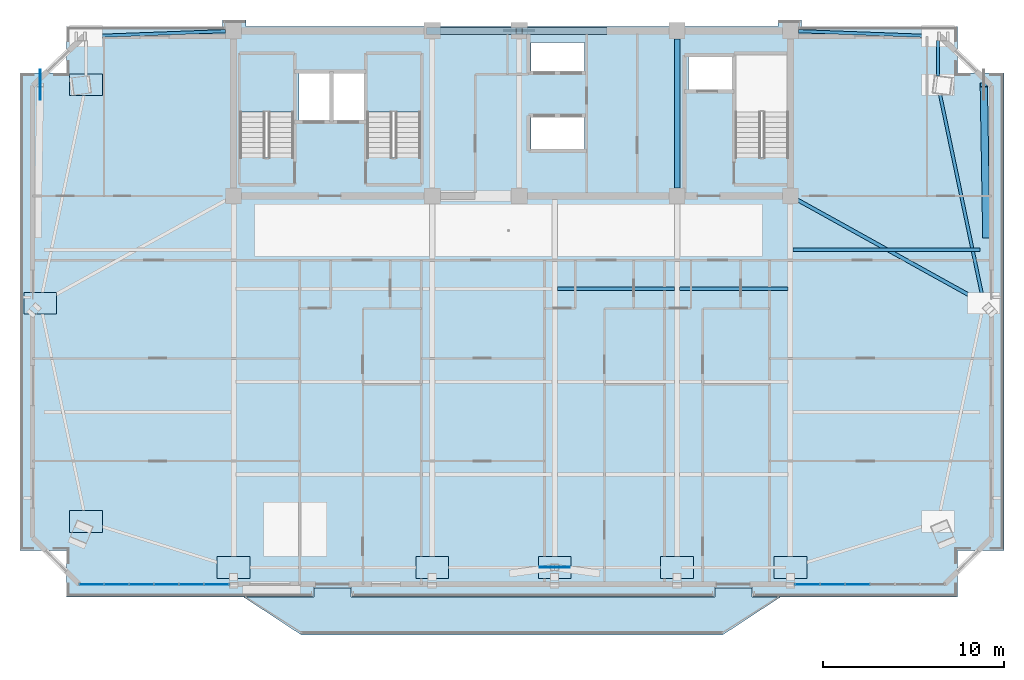
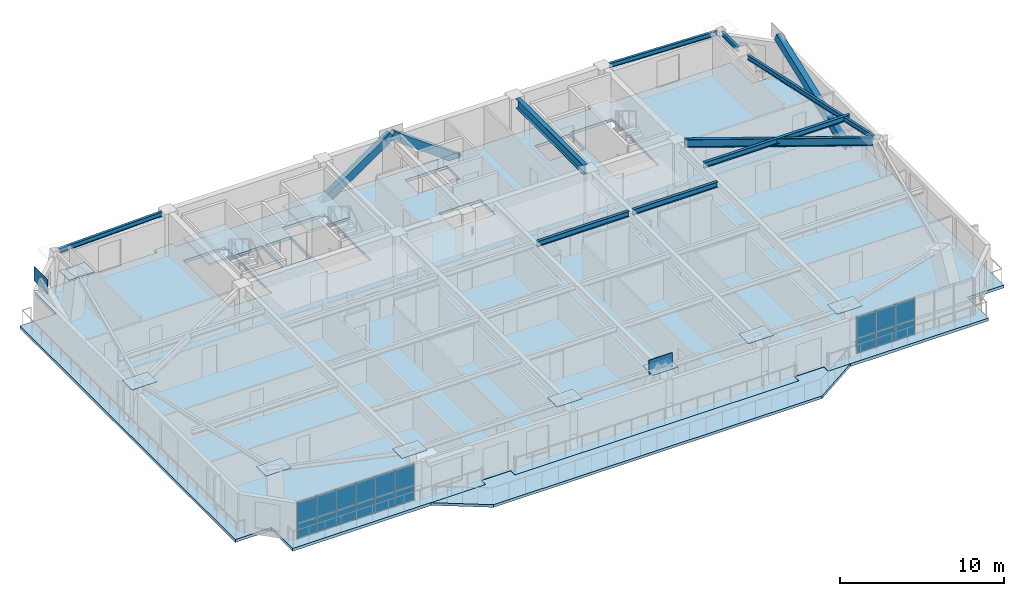
# One storey, part 7 of 18: 28 plates, 9 beams, 4 slabs, 3 members, 4 elements without a shape of their own.
"""IFC4 building model written with IfcOpenShell, lengths in metres."""

import ifcopenshell
import ifcopenshell.guid

model = None  # the IFC model being written
_history = None  # IfcOwnerHistory: only IFC2X3 demands one
_inside = {}  # id of a spatial element -> (the spatial element, [elements in it])
_under = {}  # id of a project, library or spatial element -> (it, [spatial elements below it])
_declared = {}  # id of a project -> (the project, [libraries it declares])
_typed = {}  # id of a type object -> (the type object, [elements of that type])
_made_of = {}  # id of a material, layer set ... -> (it, [elements and type objects made of it])


def new_model(schema):
    """Start an empty IFC model of exactly this schema.

    Asked for "IFC4X3", IfcOpenShell would pick the latest addendum, in which some entities
    have other attributes; the version numbers below select the first issue.
    IFC2X3 requires an IfcOwnerHistory on every rooted entity: one is made here for all.
    """
    global model, _history
    if schema == "IFC4X3":
        model = ifcopenshell.file(schema_version=(4, 3, 0, 0))
    else:
        model = ifcopenshell.file(schema=schema)
    _inside.clear()
    _under.clear()
    _declared.clear()
    _typed.clear()
    _made_of.clear()
    _history = None
    if model.schema == "IFC2X3":
        org = make("IfcOrganization", Name="unknown")
        user = make(
            "IfcPersonAndOrganization",
            ThePerson=make("IfcPerson", FamilyName="unknown"),
            TheOrganization=org,
        )
        app = make(
            "IfcApplication",
            ApplicationDeveloper=org,
            Version="unknown",
            ApplicationFullName="unknown",
            ApplicationIdentifier="unknown",
        )
        _history = make(
            "IfcOwnerHistory",
            OwningUser=user,
            OwningApplication=app,
            ChangeAction="ADDED",
            CreationDate=0,
        )
    return model


def make(cls, **values):
    """One entity of the class cls with the attributes given. An attribute that is None is left unset."""
    return model.create_entity(
        cls, **{name: value for name, value in values.items() if value is not None}
    )


def rooted(cls, **values):
    """An entity with a GlobalId (a new one), such as an element, a storey or a relation."""
    return make(cls, GlobalId=ifcopenshell.guid.new(), OwnerHistory=_history, **values)


def si_unit(unit_type, name, prefix=None):
    """IfcSIUnit, for example si_unit("LENGTHUNIT", "METRE", prefix="MILLI")."""
    return make("IfcSIUnit", UnitType=unit_type, Prefix=prefix, Name=name)


def assignment(units):
    """IfcUnitAssignment: the units of a project."""
    return None if units is None else make("IfcUnitAssignment", Units=units)


def point(xyz):
    """IfcCartesianPoint."""
    return None if xyz is None else make("IfcCartesianPoint", Coordinates=xyz)


def direction(xyz):
    """IfcDirection."""
    return None if xyz is None else make("IfcDirection", DirectionRatios=xyz)


def frame(location, z_axis=None, x_axis=None):
    """IfcAxis2Placement3D, a coordinate frame: its origin and axes. An axis left out is left unset."""
    return make(
        "IfcAxis2Placement3D",
        Location=point(location),
        Axis=direction(z_axis),
        RefDirection=direction(x_axis),
    )


def frame_2d(location, x_axis=None):
    """IfcAxis2Placement2D, a coordinate frame in the plane: its origin and x axis."""
    return make(
        "IfcAxis2Placement2D", Location=point(location), RefDirection=direction(x_axis)
    )


def origin():
    """The frame at (0, 0, 0) with its axes left unset."""
    return frame((0.0, 0.0, 0.0))


def origin_2d():
    """The frame at (0, 0) in the plane with its x axis left unset."""
    return frame_2d((0.0, 0.0))


def place(relative_to, where):
    """IfcLocalPlacement: puts the frame where relative to a parent placement (None: the world)."""
    return make(
        "IfcLocalPlacement", PlacementRelTo=relative_to, RelativePlacement=where
    )


def context(
    kind, dimensions, precision=None, world=None, true_north=None, identifier=None
):
    """IfcGeometricRepresentationContext, for example the 3D "Model" context."""
    return make(
        "IfcGeometricRepresentationContext",
        ContextIdentifier=identifier,
        ContextType=kind,
        CoordinateSpaceDimension=dimensions,
        Precision=precision,
        WorldCoordinateSystem=world,
        TrueNorth=true_north,
    )


def subcontext(parent, identifier, kind, view, scale=None):
    """IfcGeometricRepresentationSubContext, for example "Body" below "Model"."""
    return make(
        "IfcGeometricRepresentationSubContext",
        ContextIdentifier=identifier,
        ContextType=kind,
        ParentContext=parent,
        TargetScale=scale,
        TargetView=view,
    )


def project(units=None, contexts=None):
    """IfcProject with its units and contexts."""
    return rooted(
        "IfcProject",
        Name="project",
        RepresentationContexts=contexts,
        UnitsInContext=assignment(units),
    )


def spatial(cls, under=None, at=None, **own):
    """A site, building, storey or space (cls), placed at a placement, below another one or the project."""
    s = rooted(cls, ObjectPlacement=at, **own)
    if under is not None:
        _under.setdefault(under.id(), (under, []))[1].append(s)
    return s


def polyline(points):
    """IfcPolyline through the points."""
    return make("IfcPolyline", Points=[point(p) for p in points])


def profile(cls, at=None, kind="AREA", **sizes):
    """A parametric profile (cls). Its sizes go by their IFC names, for example OverallWidth=200.0."""
    return make(cls, ProfileType=kind, Position=at, **sizes)


def rectangle(**sizes):
    """IfcRectangleProfileDef."""
    return profile("IfcRectangleProfileDef", **sizes)


def hollow_rectangle(**sizes):
    """IfcRectangleHollowProfileDef."""
    return profile("IfcRectangleHollowProfileDef", **sizes)


def i_section(**sizes):
    """IfcIShapeProfileDef."""
    return profile("IfcIShapeProfileDef", **sizes)


def outline(outer, holes=None, kind="AREA"):
    """IfcArbitraryClosedProfileDef: a profile drawn as a closed curve; with holes, ...WithVoids."""
    if holes is None:
        return make("IfcArbitraryClosedProfileDef", ProfileType=kind, OuterCurve=outer)
    return make(
        "IfcArbitraryProfileDefWithVoids",
        ProfileType=kind,
        OuterCurve=outer,
        InnerCurves=holes,
    )


def extrude(swept, where, along, depth):
    """IfcExtrudedAreaSolid: the profile swept, set in the frame where, extruded along a direction by depth."""
    return make(
        "IfcExtrudedAreaSolid",
        SweptArea=swept,
        Position=where,
        ExtrudedDirection=direction(along),
        Depth=depth,
    )


def shape(context_of_items, identifier, shape_type, items):
    """IfcShapeRepresentation: the items that make up one representation, for example the "Body"."""
    return make(
        "IfcShapeRepresentation",
        ContextOfItems=context_of_items,
        RepresentationIdentifier=identifier,
        RepresentationType=shape_type,
        Items=items,
    )


def source(mapping_origin, context_of_items, identifier, shape_type, items):
    """IfcRepresentationMap: a shape defined once, which mapped items show again and again."""
    return make(
        "IfcRepresentationMap",
        MappingOrigin=mapping_origin,
        MappedRepresentation=shape(context_of_items, identifier, shape_type, items),
    )


def transform(
    local_origin,
    x_axis=None,
    y_axis=None,
    z_axis=None,
    scale=None,
    scale2=None,
    scale3=None,
    uniform=True,
):
    """IfcCartesianTransformationOperator3D, or its non-uniform kind. x_axis, y_axis, z_axis: its Axis1, 2, 3."""
    if uniform:
        return make(
            "IfcCartesianTransformationOperator3D",
            Axis1=direction(x_axis),
            Axis2=direction(y_axis),
            LocalOrigin=point(local_origin),
            Scale=scale,
            Axis3=direction(z_axis),
        )
    return make(
        "IfcCartesianTransformationOperator3DnonUniform",
        Axis1=direction(x_axis),
        Axis2=direction(y_axis),
        LocalOrigin=point(local_origin),
        Scale=scale,
        Axis3=direction(z_axis),
        Scale2=scale2,
        Scale3=scale3,
    )


def mapped(mapping_source, mapping_target):
    """IfcMappedItem: shows the shape of a source again, moved by a transform."""
    return make(
        "IfcMappedItem", MappingSource=mapping_source, MappingTarget=mapping_target
    )


def material(Name=None, Category=None):
    """IfcMaterial."""
    return make("IfcMaterial", Name=Name, Category=Category)


def layer(
    of_material, thickness, ventilated=None, Name=None, Category=None, Priority=None
):
    """IfcMaterialLayer: one layer of a wall or slab, of a material (None: an air gap)."""
    return make(
        "IfcMaterialLayer",
        Material=of_material,
        LayerThickness=thickness,
        IsVentilated=ventilated,
        Name=Name,
        Category=Category,
        Priority=Priority,
    )


def layer_set(layers, Name=None):
    """IfcMaterialLayerSet."""
    return make("IfcMaterialLayerSet", MaterialLayers=layers, LayerSetName=Name)


def material_profile(
    of_material, cross_section, Name=None, Category=None, Priority=None
):
    """IfcMaterialProfile: a cross section and its material."""
    return make(
        "IfcMaterialProfile",
        Name=Name,
        Material=of_material,
        Profile=cross_section,
        Priority=Priority,
        Category=Category,
    )


def profile_set(profiles, Name=None, composite=None):
    """IfcMaterialProfileSet."""
    return make(
        "IfcMaterialProfileSet",
        Name=Name,
        MaterialProfiles=profiles,
        CompositeProfile=composite,
    )


def made_of(thing, what):
    """Note that an element or type object is made of a material, layer set ...; save() writes the relation."""
    if what is not None:
        _made_of.setdefault(what.id(), (what, []))[1].append(thing)
    return thing


def type_object(cls, material=None, **own):
    """A type object (cls), such as IfcWallType, which elements share."""
    return made_of(rooted(cls, **own), material)


def element(
    cls,
    number,
    at=None,
    inside=None,
    cuts=None,
    type_object=None,
    material=None,
    context=None,
    identifier="Body",
    shape_type=None,
    held_by="IfcProductDefinitionShape",
    body=None,
    shapes=None,
    **own,
):
    """One element of the class cls, such as IfcWall. Its Tag is "e" and its number.

    at: its placement. inside: the storey or other place that contains it. cuts: it is an
    opening in that element (IfcRelVoidsElement). A single representation is given by context,
    identifier, shape_type and body (its items); several are given by shapes. held_by: the class
    of the entity that holds the representations. save() writes the other relations.
    """
    e = rooted(cls, Tag="e%d" % number, ObjectPlacement=at, **own)
    if body is not None:
        shapes = [shape(context, identifier, shape_type, body)]
    if shapes is not None:
        e.Representation = make(held_by, Representations=shapes)
    if inside is not None:
        _inside.setdefault(inside.id(), (inside, []))[1].append(e)
    if cuts is not None:
        rooted(
            "IfcRelVoidsElement", RelatingBuildingElement=cuts, RelatedOpeningElement=e
        )
    if type_object is not None:
        _typed.setdefault(type_object.id(), (type_object, []))[1].append(e)
    return made_of(e, material)


def aggregate(whole, parts):
    """IfcRelAggregates: a whole, such as a stair, and the parts it consists of."""
    return rooted("IfcRelAggregates", RelatingObject=whole, RelatedObjects=parts)


def save(model, path):
    """Write the relations noted so far, then the file.

    IfcRelAggregates (storeys below a building ...), IfcRelContainedInSpatialStructure (elements
    in a storey), IfcRelDefinesByType, IfcRelAssociatesMaterial and IfcRelDeclares: one each for
    every whole, place, type object, material and project.
    """
    for whole, parts in _under.values():
        aggregate(whole, parts)
    for where, things in _inside.values():
        rooted(
            "IfcRelContainedInSpatialStructure",
            RelatedElements=things,
            RelatingStructure=where,
        )
    for kind, things in _typed.values():
        rooted("IfcRelDefinesByType", RelatedObjects=things, RelatingType=kind)
    for what, things in _made_of.values():
        rooted("IfcRelAssociatesMaterial", RelatedObjects=things, RelatingMaterial=what)
    for by, libraries in _declared.values():
        rooted("IfcRelDeclares", RelatingContext=by, RelatedDefinitions=libraries)
    model.write(path)


model = new_model("IFC4")

# Units and contexts
model_context = context("Model", 3, precision=1e-05, world=origin(), true_north=direction((0.0, 1.0)))
body_context = subcontext(model_context, "Body", "Model", "MODEL_VIEW")
ifc_project = project(units=[si_unit("LENGTHUNIT", "METRE"), si_unit("AREAUNIT", "SQUARE_METRE"), si_unit("VOLUMEUNIT", "CUBIC_METRE"), si_unit("PLANEANGLEUNIT", "RADIAN"), si_unit("MASSUNIT", "GRAM", prefix="KILO")], contexts=[model_context])

# Site, building, storey
site_placement = place(None, origin())
site = spatial("IfcSite", under=ifc_project, at=site_placement, CompositionType="ELEMENT")
building_placement = place(site_placement, origin())
building = spatial("IfcBuilding", under=site, at=building_placement, Name="Giltprow Tower", CompositionType="ELEMENT")
storey_placement = place(building_placement, frame((0.0, 0.0, 265.5)))
storey = spatial("IfcBuildingStorey", under=building, at=storey_placement, Name="L68", CompositionType="ELEMENT", Elevation=265.5)

# Beams
ifc_material_1 = material(Name="Structural steel Q355B", Category="steel")
ifc_material_profile_1 = material_profile(ifc_material_1, i_section(OverallWidth=0.199951171875, OverallDepth=0.39990234375, WebThickness=0.008056640625, FlangeThickness=0.012939453125, at=origin_2d()), Name="HN 400x200x8x13")
ifc_profile_set_1 = profile_set([ifc_material_profile_1], Name="Structural steel Q355B")
beam_type_1 = type_object("IfcBeamType", Name="BM-JOIST-HN400", PredefinedType="JOIST", material=ifc_profile_set_1)
shared_shape_1 = source(origin(), body_context, "Body", "SweptSolid", [
    extrude(i_section(OverallWidth=0.199951171875, OverallDepth=0.39990234375, WebThickness=0.008056640625, FlangeThickness=0.012939453125, at=origin_2d()), origin(), (0.0, 0.0, 1.0), 6.4599609375),
])
beam_1_placement = place(storey_placement, frame((37.695068359375, 32.33203125, 2.985107421875), z_axis=(1.0, 0.0, 0.0), x_axis=(0.0, 1.0, 0.0)))
element("IfcBeam", 1, at=beam_1_placement, inside=storey, type_object=beam_type_1, Name="L68 Composite Floor Joist 3-3", PredefinedType="JOIST", context=body_context, shape_type="MappedRepresentation", body=[
    mapped(shared_shape_1, transform((0.0, 0.0, 0.0), x_axis=(1.0, 0.0, 0.0), y_axis=(0.0, 1.0, 0.0), z_axis=(0.0, 0.0, 1.0), scale=1.0)),
])
shared_shape_2 = source(origin(), body_context, "Body", "SweptSolid", [
    extrude(i_section(OverallWidth=0.199951171875, OverallDepth=0.39990234375, WebThickness=0.008056640625, FlangeThickness=0.012939453125, at=origin_2d()), origin(), (0.0, 0.0, 1.0), 5.9599609375),
])
beam_2_placement = place(storey_placement, frame((44.445068359375, 32.33203125, 2.985107421875), z_axis=(1.0, 0.0, 0.0), x_axis=(0.0, 1.0, 0.0)))
element("IfcBeam", 2, at=beam_2_placement, inside=storey, type_object=beam_type_1, Name="L68 Composite Floor Joist 3-4", PredefinedType="JOIST", context=body_context, shape_type="MappedRepresentation", body=[
    mapped(shared_shape_2, transform((0.0, 0.0, 0.0), x_axis=(1.0, 0.0, 0.0), y_axis=(0.0, 1.0, 0.0), z_axis=(0.0, 0.0, 1.0), scale=1.0)),
])
ifc_material_profile_2 = material_profile(ifc_material_1, i_section(OverallWidth=0.300048828125, OverallDepth=0.699951171875, WebThickness=0.012939453125, FlangeThickness=0.02392578125, at=origin_2d()), Name="HN 700x300x13x24")
ifc_profile_set_2 = profile_set([ifc_material_profile_2], Name="Structural steel Q355B")
beam_type_2 = type_object("IfcBeamType", Name="BM-GIRD-HN700", PredefinedType="BEAM", material=ifc_profile_set_2)
shared_shape_3 = source(origin(), body_context, "Body", "SweptSolid", [
    extrude(i_section(OverallWidth=0.300048828125, OverallDepth=0.699951171875, WebThickness=0.012939453125, FlangeThickness=0.02392578125, at=origin_2d()), origin(), (0.0, 0.0, 1.0), 8.22998046875),
])
beam_3_placement = place(storey_placement, frame((44.300048828125, 37.885009765625, 2.8349609375), z_axis=(0.0, 1.0, 0.0), x_axis=(-1.0, 0.0, 0.0)))
element("IfcBeam", 3, at=beam_3_placement, inside=storey, type_object=beam_type_2, Name="L68 Core Tie Girder M3", PredefinedType="BEAM", context=body_context, shape_type="MappedRepresentation", body=[
    mapped(shared_shape_3, transform((0.0, 0.0, 0.0), x_axis=(1.0, 0.0, 0.0), y_axis=(0.0, 1.0, 0.0), z_axis=(0.0, 0.0, 1.0), scale=1.0)),
])
ifc_material_profile_3 = material_profile(ifc_material_1, i_section(OverallWidth=0.175048828125, OverallDepth=0.35009765625, WebThickness=0.007080078125, FlangeThickness=0.010986328125, at=origin_2d()), Name="HN 350x175x7x11")
ifc_profile_set_3 = profile_set([ifc_material_profile_3], Name="Structural steel Q355B")
beam_type_3 = type_object("IfcBeamType", Name="BM-SPAN-HN350", PredefinedType="SPANDREL", material=ifc_profile_set_3)
shared_shape_4 = source(origin(), body_context, "Body", "SweptSolid", [
    extrude(i_section(OverallWidth=0.175048828125, OverallDepth=0.35009765625, WebThickness=0.007080078125, FlangeThickness=0.010986328125, at=origin_2d()), origin(), (0.0, 0.0, 1.0), 11.580322265625),
])
beam_4_placement = place(storey_placement, frame((61.158935546875, 31.76806640625, 3.010009765625), z_axis=(-0.205173152284, 0.978725690672, 0.0), x_axis=(-0.978725690672, -0.205173152284, 0.0)))
element("IfcBeam", 4, at=beam_4_placement, inside=storey, type_object=beam_type_3, Name="L68 Perimeter Spandrel Beam E_MID-MC_NE", PredefinedType="SPANDREL", context=body_context, shape_type="MappedRepresentation", body=[
    mapped(shared_shape_4, transform((0.0, 0.0, 0.0), x_axis=(1.0, 0.0, 0.0), y_axis=(0.0, 1.0, 0.0), z_axis=(0.0, 0.0, 1.0), scale=1.0)),
])
shared_shape_5 = source(origin(), body_context, "Body", "SweptSolid", [
    extrude(i_section(OverallWidth=0.175048828125, OverallDepth=0.35009765625, WebThickness=0.007080078125, FlangeThickness=0.010986328125, at=origin_2d()), origin(), (0.0, 0.0, 1.0), 1.952880859375),
])
beam_5_placement = place(storey_placement, frame((58.68408203125, 44.06201171875, 3.010009765625), z_axis=(0.0, 1.0, 0.0), x_axis=(-1.0, 0.0, 0.0)))
element("IfcBeam", 5, at=beam_5_placement, inside=storey, type_object=beam_type_3, Name="L68 Perimeter Spandrel Beam MC_NE-N_E", PredefinedType="SPANDREL", context=body_context, shape_type="MappedRepresentation", body=[
    mapped(shared_shape_5, transform((0.0, 0.0, 0.0), x_axis=(1.0, 0.0, 0.0), y_axis=(0.0, 1.0, 0.0), z_axis=(0.0, 0.0, 1.0), scale=1.0)),
])
shared_shape_6 = source(origin(), body_context, "Body", "SweptSolid", [
    extrude(i_section(OverallWidth=0.175048828125, OverallDepth=0.35009765625, WebThickness=0.007080078125, FlangeThickness=0.010986328125, at=origin_2d()), origin(), (0.0, 0.0, 1.0), 7.46826171875),
])
beam_6_placement = place(storey_placement, frame((11.951904296875, 46.259033203125, 3.010009765625), z_axis=(0.999322291926, 0.036809738647, 0.0), x_axis=(-0.036809738647, 0.999322291926, 0.0)))
element("IfcBeam", 6, at=beam_6_placement, inside=storey, type_object=beam_type_3, Name="L68 North Wing Spandrel W", PredefinedType="SPANDREL", context=body_context, shape_type="MappedRepresentation", body=[
    mapped(shared_shape_6, transform((0.0, 0.0, 0.0), x_axis=(1.0, 0.0, 0.0), y_axis=(0.0, 1.0, 0.0), z_axis=(0.0, 0.0, 1.0), scale=1.0)),
])
shared_shape_7 = source(origin(), body_context, "Body", "SweptSolid", [
    extrude(i_section(OverallWidth=0.175048828125, OverallDepth=0.35009765625, WebThickness=0.007080078125, FlangeThickness=0.010986328125, at=origin_2d()), origin(), (0.0, 0.0, 1.0), 7.468994140625),
])
beam_7_placement = place(storey_placement, frame((50.985107421875, 46.533935546875, 3.010009765625), z_axis=(0.99932242479, -0.036806131438, 0.0), x_axis=(0.036806131438, 0.99932242479, 0.0)))
element("IfcBeam", 7, at=beam_7_placement, inside=storey, type_object=beam_type_3, Name="L68 North Wing Spandrel E", PredefinedType="SPANDREL", context=body_context, shape_type="MappedRepresentation", body=[
    mapped(shared_shape_7, transform((0.0, 0.0, 0.0), x_axis=(1.0, 0.0, 0.0), y_axis=(0.0, 1.0, 0.0), z_axis=(0.0, 0.0, 1.0), scale=1.0)),
])
ifc_material_profile_4 = material_profile(ifc_material_1, i_section(OverallWidth=0.199951171875, OverallDepth=0.60009765625, WebThickness=0.010986328125, FlangeThickness=0.01708984375, at=origin_2d()), Name="HN 600x200x11x17")
ifc_profile_set_4 = profile_set([ifc_material_profile_4], Name="Structural steel Q355B")
beam_type_4 = type_object("IfcBeamType", Name="BM-GIRD-HN600", PredefinedType="BEAM", material=ifc_profile_set_4)
shared_shape_8 = source(origin(), body_context, "Body", "SweptSolid", [
    extrude(i_section(OverallWidth=0.199951171875, OverallDepth=0.60009765625, WebThickness=0.010986328125, FlangeThickness=0.01708984375, at=origin_2d()), origin(), (0.0, 0.0, 1.0), 11.517822265625),
])
beam_8_placement = place(storey_placement, frame((61.001953125, 31.652099609375, 2.885009765625), z_axis=(-0.874476040192, 0.485068711762, 0.0), x_axis=(-0.485068711762, -0.874476040192, 0.0)))
element("IfcBeam", 8, at=beam_8_placement, inside=storey, type_object=beam_type_4, Name="L68 East Wing Primary Girder", PredefinedType="BEAM", context=body_context, shape_type="MappedRepresentation", body=[
    mapped(shared_shape_8, transform((0.0, 0.0, 0.0), x_axis=(1.0, 0.0, 0.0), y_axis=(0.0, 1.0, 0.0), z_axis=(0.0, 0.0, 1.0), scale=1.0)),
])
shared_shape_9 = source(origin(), body_context, "Body", "SweptSolid", [
    extrude(i_section(OverallWidth=0.199951171875, OverallDepth=0.39990234375, WebThickness=0.008056640625, FlangeThickness=0.012939453125, at=origin_2d()), origin(), (0.0, 0.0, 1.0), 10.2919921875),
])
beam_9_placement = place(storey_placement, frame((50.695068359375, 34.493896484375, 2.985107421875), z_axis=(1.0, 0.0, 0.0), x_axis=(0.0, 1.0, 0.0)))
element("IfcBeam", 9, at=beam_9_placement, inside=storey, type_object=beam_type_1, Name="L68 East Wing Floor Joist 2", PredefinedType="JOIST", context=body_context, shape_type="MappedRepresentation", body=[
    mapped(shared_shape_9, transform((0.0, 0.0, 0.0), x_axis=(1.0, 0.0, 0.0), y_axis=(0.0, 1.0, 0.0), z_axis=(0.0, 0.0, 1.0), scale=1.0)),
])

# Members
ifc_material_2 = material(Name="Structural steel Q420GJC", Category="steel")
ifc_material_profile_5 = material_profile(ifc_material_2, hollow_rectangle(XDim=0.39990234375, YDim=0.60009765625, WallThickness=0.028076171875, at=origin_2d()), Name="RHS 600x400x28")
ifc_profile_set_5 = profile_set([ifc_material_profile_5], Name="Structural steel Q420GJC")
member_type = type_object("IfcMemberType", Name="MBR-MEGA-RHS600", PredefinedType="BRACE", material=ifc_profile_set_5)
shared_shape_10 = source(origin(), body_context, "Body", "SweptSolid", [
    extrude(hollow_rectangle(XDim=0.39990234375, YDim=0.60009765625, WallThickness=0.028076171875, at=origin_2d()), origin(), (0.0, 0.0, 1.0), 5.774169921875),
])
member_1_placement = place(storey_placement, frame((40.26708984375, 46.550048828125, -0.139892578125), z_axis=(-0.808264093398, 0.0, 0.588820138348), x_axis=(0.0, -1.0, 0.0)))
element("IfcMember", 10, at=member_1_placement, inside=storey, type_object=member_type, Name="L68 Chevron Mega-Brace N-R", PredefinedType="BRACE", context=body_context, shape_type="MappedRepresentation", body=[
    mapped(shared_shape_10, transform((0.0, 0.0, 0.0), x_axis=(1.0, 0.0, 0.0), y_axis=(0.0, 1.0, 0.0), z_axis=(0.0, 0.0, 1.0), scale=1.0)),
])
shared_shape_11 = source(origin(), body_context, "Body", "SweptSolid", [
    extrude(hollow_rectangle(XDim=0.39990234375, YDim=0.60009765625, WallThickness=0.028076171875, at=origin_2d()), origin(), (0.0, 0.0, 1.0), 5.9912109375),
])
member_2_placement = place(storey_placement, frame((30.6669921875, 46.550048828125, -0.139892578125), z_axis=(0.823387435214, 0.0, 0.567479630941), x_axis=(0.0, 1.0, 0.0)))
element("IfcMember", 11, at=member_2_placement, inside=storey, type_object=member_type, Name="L68 Chevron Mega-Brace N-L", PredefinedType="BRACE", context=body_context, shape_type="MappedRepresentation", body=[
    mapped(shared_shape_11, transform((0.0, 0.0, 0.0), x_axis=(1.0, 0.0, 0.0), y_axis=(0.0, 1.0, 0.0), z_axis=(0.0, 0.0, 1.0), scale=1.0)),
])
shared_shape_12 = source(origin(), body_context, "Body", "SweptSolid", [
    extrude(hollow_rectangle(XDim=0.39990234375, YDim=0.60009765625, WallThickness=0.028076171875, at=origin_2d()), origin(), (0.0, 0.0, 1.0), 8.98974609375),
])
member_3_placement = place(storey_placement, frame((61.344970703125, 35.256103515625, 0.0), z_axis=(-0.015344225043, 0.925596244124, 0.37820119992), x_axis=(-0.999862618817, -0.016575388171, 0.0)))
element("IfcMember", 12, at=member_3_placement, inside=storey, type_object=member_type, Name="L68 Chevron Mega-Brace E-D", PredefinedType="BRACE", context=body_context, shape_type="MappedRepresentation", body=[
    mapped(shared_shape_12, transform((0.0, 0.0, 0.0), x_axis=(1.0, 0.0, 0.0), y_axis=(0.0, 1.0, 0.0), z_axis=(0.0, 0.0, 1.0), scale=1.0)),
])

# Slabs
ifc_material_3 = material(Name="Concrete C40", Category="concrete")
ifc_layer_1 = layer(ifc_material_3, 0.199951171875, Name="Concrete C40")
ifc_layer_set_1 = layer_set([ifc_layer_1], Name="Concrete C40")
slab_type_1 = type_object("IfcSlabType", Name="SLB-BALC-BRONZE-200", PredefinedType="FLOOR", material=ifc_layer_set_1)
slab_1_placement = place(storey_placement, frame((0.0, 0.0, -0.199951171875)))
element("IfcSlab", 13, at=slab_1_placement, inside=storey, type_object=slab_type_1, Name="L68 Bronze Prow Waterfront Balcony Slab", PredefinedType="FLOOR", context=body_context, shape_type="SweptSolid", body=[
    extrude(outline(polyline([(50.0, 15.344970703125), (46.800048828125, 13.2451171875), (23.60009765625, 13.2451171875), (20.39990234375, 15.344970703125), (24.280029296875, 15.344970703125), (24.280029296875, 15.844970703125), (26.320068359375, 15.844970703125), (26.320068359375, 15.344970703125), (46.3798828125, 15.344970703125), (46.3798828125, 15.844970703125), (48.419921875, 15.844970703125), (48.419921875, 15.344970703125), (50.0, 15.344970703125)])), origin(), (0.0, 0.0, 1.0), 0.199951171875),
])
ifc_layer_2 = layer(ifc_material_3, 0.215087890625, Name="Concrete C40")
ifc_layer_set_2 = layer_set([ifc_layer_2], Name="Concrete C40")
slab_type_2 = type_object("IfcSlabType", Name="SLB-RES-215", PredefinedType="FLOOR", material=ifc_layer_set_2)
slab_2_placement = place(storey_placement, frame((0.0, 0.0, -0.215087890625)))
element("IfcSlab", 14, at=slab_2_placement, inside=storey, type_object=slab_type_2, Name="L68 Structural Composite Floor Slab", PredefinedType="FLOOR", context=body_context, shape_type="SweptSolid", body=[
    extrude(outline(polyline([(62.322021484375, 44.22998046875), (62.322021484375, 17.9130859375), (59.751953125, 17.9130859375), (59.751953125, 15.344970703125), (48.449951171875, 15.344970703125), (48.449951171875, 15.864990234375), (46.35009765625, 15.864990234375), (46.35009765625, 15.344970703125), (26.35009765625, 15.344970703125), (26.35009765625, 15.864990234375), (24.25, 15.864990234375), (24.25, 15.344970703125), (10.64794921875, 15.344970703125), (10.64794921875, 17.9130859375), (8.0791015625, 17.9130859375), (8.0791015625, 44.22998046875), (10.64794921875, 44.22998046875), (10.64794921875, 46.799072265625), (19.25, 46.799072265625), (19.25, 47.14990234375), (20.550048828125, 47.14990234375), (20.550048828125, 46.799072265625), (49.85009765625, 46.799072265625), (49.85009765625, 47.14990234375), (51.14990234375, 47.14990234375), (51.14990234375, 46.799072265625), (59.751953125, 46.799072265625), (59.751953125, 44.22998046875), (62.322021484375, 44.22998046875)]), holes=[polyline([(39.18994140625, 41.800048828125), (36.239990234375, 41.800048828125), (36.239990234375, 40.0), (39.18994140625, 40.0), (39.18994140625, 41.800048828125)]), polyline([(23.159912109375, 39.570068359375), (23.159912109375, 45.25), (20.199951171875, 45.25), (20.199951171875, 39.570068359375), (23.159912109375, 39.570068359375)]), polyline([(30.159912109375, 39.570068359375), (30.159912109375, 45.25), (27.199951171875, 45.25), (27.199951171875, 39.570068359375), (30.159912109375, 39.570068359375)]), polyline([(50.4599609375, 45.25), (47.5, 45.25), (47.5, 39.570068359375), (50.4599609375, 39.570068359375), (50.4599609375, 45.25)]), polyline([(25.169921875, 44.199951171875), (23.449951171875, 44.199951171875), (23.449951171875, 41.60009765625), (25.169921875, 41.60009765625), (25.169921875, 44.199951171875)]), polyline([(27.10009765625, 44.199951171875), (25.35009765625, 44.199951171875), (25.35009765625, 41.60009765625), (27.10009765625, 41.60009765625), (27.10009765625, 44.199951171875)]), polyline([(47.3798828125, 43.300048828125), (47.3798828125, 45.10009765625), (44.919921875, 45.10009765625), (44.919921875, 43.300048828125), (47.3798828125, 43.300048828125)]), polyline([(39.18994140625, 44.300048828125), (39.18994140625, 45.919921875), (36.239990234375, 45.919921875), (36.239990234375, 44.300048828125), (39.18994140625, 44.300048828125)])]), origin(), (0.0, 0.0, 1.0), 0.215087890625),
])

# Stair, slab
stair_type_1 = type_object("IfcStairType", Name="STR-ST-1", PredefinedType="HALF_TURN_STAIR", material=ifc_material_3)
stair_1_placement = place(storey_placement, origin())
stair_1 = element("IfcStair", 15, at=stair_1_placement, inside=storey, type_object=stair_type_1, Name="L68 Core Exit Stair ST-1", PredefinedType="HALF_TURN_STAIR")
ifc_layer_3 = layer(ifc_material_3, 0.179931640625, Name="Concrete C40")
ifc_layer_set_3 = layer_set([ifc_layer_3], Name="Concrete C40")
slab_type_3 = type_object("IfcSlabType", Name="SLD-ST-1", PredefinedType="LANDING", material=ifc_layer_set_3)
slab_3_placement = place(storey_placement, frame((0.0, 0.0, 1.52001953125)))
slab_3 = element("IfcSlab", 16, at=slab_3_placement, type_object=slab_type_3, Name="ST-1 landing 1", PredefinedType="LANDING", context=body_context, shape_type="SweptSolid", body=[
    extrude(outline(polyline([(23.159912109375, 42.070068359375), (23.159912109375, 45.25), (20.199951171875, 45.25), (20.199951171875, 42.070068359375), (23.159912109375, 42.070068359375)])), origin(), (0.0, 0.0, 1.0), 0.179931640625),
])
aggregate(stair_1, [slab_3])

stair_type_2 = type_object("IfcStairType", Name="STR-ST-2", PredefinedType="HALF_TURN_STAIR", material=ifc_material_3)
stair_2_placement = place(storey_placement, origin())
stair_2 = element("IfcStair", 17, at=stair_2_placement, inside=storey, type_object=stair_type_2, Name="L68 Core Exit Stair ST-2", PredefinedType="HALF_TURN_STAIR")
ifc_layer_4 = layer(ifc_material_3, 0.18798828125, Name="Concrete C40")
ifc_layer_set_4 = layer_set([ifc_layer_4], Name="Concrete C40")
slab_type_4 = type_object("IfcSlabType", Name="SLD-ST-2", PredefinedType="LANDING", material=ifc_layer_set_4)
slab_4_placement = place(storey_placement, frame((0.0, 0.0, 1.511962890625)))
slab_4 = element("IfcSlab", 18, at=slab_4_placement, type_object=slab_type_4, Name="ST-2 landing 1", PredefinedType="LANDING", context=body_context, shape_type="SweptSolid", body=[
    extrude(outline(polyline([(30.159912109375, 42.070068359375), (30.159912109375, 45.25), (27.199951171875, 45.25), (27.199951171875, 42.070068359375), (30.159912109375, 42.070068359375)])), origin(), (0.0, 0.0, 1.0), 0.18798828125),
])
aggregate(stair_2, [slab_4])

# Plates
plate_type_1 = type_object("IfcPlateType", Name="PLT-NODE-CKN1", PredefinedType="USERDEFINED", material=ifc_material_2)
shared_shape_13 = source(origin(), body_context, "Body", "SweptSolid", [
    extrude(rectangle(XDim=1.800048828125, YDim=1.199951171875, at=origin_2d()), origin(), (0.0, 0.0, 1.0), 0.044921875),
])
for number, where, z_axis, x_axis, name in (
    (19, (11.717041015625, 19.4990234375, 3.142578125), (0.0, 0.0, 1.0), (1.0, 0.0, 0.0), "CKN1 Column Taper Splice Node L68-MC_SW"),
    (20, (11.717041015625, 43.576904296875, 3.142578125), (0.0, 0.0, 1.0), (1.0, 0.0, 0.0), "CKN1 Column Taper Splice Node L68-MC_NW"),
    (21, (19.85009765625, 16.97607421875, 3.142578125), (0.0, 0.0, 1.0), (1.0, 0.0, 0.0), "CKN1 Column Taper Splice Node L68-S1"),
    (22, (30.800048828125, 16.97607421875, 3.142578125), (0.0, 0.0, 1.0), (1.0, 0.0, 0.0), "CKN1 Column Taper Splice Node L68-S2"),
    (23, (37.550048828125, 16.97607421875, 3.142578125), (0.0, 0.0, 1.0), (1.0, 0.0, 0.0), "CKN1 Column Taper Splice Node L68-S_MID"),
    (24, (44.300048828125, 16.97607421875, 3.142578125), (0.0, 0.0, 1.0), (1.0, 0.0, 0.0), "CKN1 Column Taper Splice Node L68-S3"),
    (25, (50.550048828125, 16.97607421875, 3.142578125), (0.0, 0.0, 1.0), (1.0, 0.0, 0.0), "CKN1 Column Taper Splice Node L68-S4"),
    (26, (9.194091796875, 31.5380859375, 3.142578125), (0.0, 0.0, 1.0), (1.0, 0.0, 0.0), "CKN1 Column Taper Splice Node L68-W_MID"),
):
    element("IfcPlate", number, at=place(storey_placement, frame(where, z_axis=z_axis, x_axis=x_axis)), inside=storey, type_object=plate_type_1, Name=name, ObjectType="SPLICE", PredefinedType="USERDEFINED", context=body_context, shape_type="MappedRepresentation", body=[
        mapped(shared_shape_13, transform((0.0, 0.0, 0.0), x_axis=(1.0, 0.0, 0.0), y_axis=(0.0, 1.0, 0.0), z_axis=(0.0, 0.0, 1.0), scale=1.0)),
    ])
plate_type_2 = type_object("IfcPlateType", Name="PLT-NODE-MBN2", PredefinedType="USERDEFINED", material=ifc_material_2)
shared_shape_14 = source(origin(), body_context, "Body", "SweptSolid", [
    extrude(rectangle(XDim=1.64990234375, YDim=0.044921875, at=origin_2d()), origin(), (0.0, 0.0, 1.0), 1.050048828125),
])
for number, where, z_axis, x_axis, name in (
    (27, (37.550048828125, 16.97607421875, 2.875), (0.0, 0.0, 1.0), (1.0, 0.0, 0.0), "Mega-Brace Node L68-S-LB"),
    (28, (9.194091796875, 43.576904296875, 2.875), (0.0, 0.0, 1.0), (0.0, 1.0, 0.0), "Mega-Brace Node L68-W-DB"),
):
    element("IfcPlate", number, at=place(storey_placement, frame(where, z_axis=z_axis, x_axis=x_axis)), inside=storey, type_object=plate_type_2, Name=name, ObjectType="GUSSET", PredefinedType="USERDEFINED", context=body_context, shape_type="MappedRepresentation", body=[
        mapped(shared_shape_14, transform((0.0, 0.0, 0.0), x_axis=(1.0, 0.0, 0.0), y_axis=(0.0, 1.0, 0.0), z_axis=(0.0, 0.0, 1.0), scale=1.0)),
    ])

# Curtain wall, plates
ifc_material_4 = material(Name="Anodized bronze", Category="metal")
ifc_layer_5 = layer(ifc_material_4, 0.179931640625, Name="Anodized bronze")
ifc_layer_set_5 = layer_set([ifc_layer_5], Name="Anodized bronze")
curtain_wall_type = type_object("IfcCurtainWallType", Name="CW-RES-SKY", PredefinedType="NOTDEFINED", material=ifc_layer_set_5)
curtain_wall_1_placement = place(storey_placement, origin())
curtain_wall_1 = element("IfcCurtainWall", 29, at=curtain_wall_1_placement, inside=storey, type_object=curtain_wall_type, Name="L68 South Recessed Curtain Wall 1", PredefinedType="NOTDEFINED")
ifc_material_5 = material(Name="Insulated glass", Category="glass")
plate_type_3 = type_object("IfcPlateType", Name="CW-PANEL-IGU-28", PredefinedType="CURTAIN_PANEL", material=ifc_material_5)
shared_shape_15 = source(origin(), body_context, "Body", "SweptSolid", [
    extrude(rectangle(XDim=1.344970703125, YDim=0.028076171875, at=origin_2d()), origin(), (0.0, 0.0, 1.0), 1.114013671875),
])
plate_1_placement = place(storey_placement, frame((12.035888671875, 16.044921875, 0.05419921875), z_axis=(0.0, 0.0, 1.0), x_axis=(1.0, 0.0, 0.0)))
plate_1 = element("IfcPlate", 30, at=plate_1_placement, type_object=plate_type_3, Name="L68 South Recessed Curtain Wall 1 Glazing Panel 1-1", PredefinedType="CURTAIN_PANEL", context=body_context, shape_type="MappedRepresentation", body=[
    mapped(shared_shape_15, transform((0.0, 0.0, 0.0), x_axis=(1.0, 0.0, 0.0), y_axis=(0.0, 1.0, 0.0), z_axis=(0.0, 0.0, 1.0), scale=1.0)),
])
plate_2_placement = place(storey_placement, frame((13.410888671875, 16.044921875, 0.05419921875), z_axis=(0.0, 0.0, 1.0), x_axis=(1.0, 0.0, 0.0)))
plate_2 = element("IfcPlate", 31, at=plate_2_placement, type_object=plate_type_3, Name="L68 South Recessed Curtain Wall 1 Glazing Panel 2-1", PredefinedType="CURTAIN_PANEL", context=body_context, shape_type="MappedRepresentation", body=[
    mapped(shared_shape_15, transform((0.0, 0.0, 0.0), x_axis=(1.0, 0.0, 0.0), y_axis=(0.0, 1.0, 0.0), z_axis=(0.0, 0.0, 1.0), scale=1.0)),
])
plate_3_placement = place(storey_placement, frame((14.785888671875, 16.044921875, 0.05419921875), z_axis=(0.0, 0.0, 1.0), x_axis=(1.0, 0.0, 0.0)))
plate_3 = element("IfcPlate", 32, at=plate_3_placement, type_object=plate_type_3, Name="L68 South Recessed Curtain Wall 1 Glazing Panel 3-1", PredefinedType="CURTAIN_PANEL", context=body_context, shape_type="MappedRepresentation", body=[
    mapped(shared_shape_15, transform((0.0, 0.0, 0.0), x_axis=(1.0, 0.0, 0.0), y_axis=(0.0, 1.0, 0.0), z_axis=(0.0, 0.0, 1.0), scale=1.0)),
])
plate_4_placement = place(storey_placement, frame((16.162109375, 16.044921875, 0.05419921875), z_axis=(0.0, 0.0, 1.0), x_axis=(1.0, 0.0, 0.0)))
plate_4 = element("IfcPlate", 33, at=plate_4_placement, type_object=plate_type_3, Name="L68 South Recessed Curtain Wall 1 Glazing Panel 4-1", PredefinedType="CURTAIN_PANEL", context=body_context, shape_type="MappedRepresentation", body=[
    mapped(shared_shape_15, transform((0.0, 0.0, 0.0), x_axis=(1.0, 0.0, 0.0), y_axis=(0.0, 1.0, 0.0), z_axis=(0.0, 0.0, 1.0), scale=1.0)),
])
plate_5_placement = place(storey_placement, frame((17.537109375, 16.044921875, 0.05419921875), z_axis=(0.0, 0.0, 1.0), x_axis=(1.0, 0.0, 0.0)))
plate_5 = element("IfcPlate", 34, at=plate_5_placement, type_object=plate_type_3, Name="L68 South Recessed Curtain Wall 1 Glazing Panel 5-1", PredefinedType="CURTAIN_PANEL", context=body_context, shape_type="MappedRepresentation", body=[
    mapped(shared_shape_15, transform((0.0, 0.0, 0.0), x_axis=(1.0, 0.0, 0.0), y_axis=(0.0, 1.0, 0.0), z_axis=(0.0, 0.0, 1.0), scale=1.0)),
])
plate_6_placement = place(storey_placement, frame((18.912109375, 16.044921875, 0.05419921875), z_axis=(0.0, 0.0, 1.0), x_axis=(1.0, 0.0, 0.0)))
plate_6 = element("IfcPlate", 35, at=plate_6_placement, type_object=plate_type_3, Name="L68 South Recessed Curtain Wall 1 Glazing Panel 6-1", PredefinedType="CURTAIN_PANEL", context=body_context, shape_type="MappedRepresentation", body=[
    mapped(shared_shape_15, transform((0.0, 0.0, 0.0), x_axis=(1.0, 0.0, 0.0), y_axis=(0.0, 1.0, 0.0), z_axis=(0.0, 0.0, 1.0), scale=1.0)),
])

# Curtain wall, plate
curtain_wall_2_placement = place(storey_placement, origin())
curtain_wall_2 = element("IfcCurtainWall", 36, at=curtain_wall_2_placement, inside=storey, type_object=curtain_wall_type, Name="L68 South Recessed Curtain Wall 6", PredefinedType="NOTDEFINED")
plate_7_placement = place(storey_placement, frame((51.488037109375, 16.044921875, 0.05419921875), z_axis=(0.0, 0.0, 1.0), x_axis=(1.0, 0.0, 0.0)))
plate_7 = element("IfcPlate", 37, at=plate_7_placement, type_object=plate_type_3, Name="L68 South Recessed Curtain Wall 6 Glazing Panel 1-1", PredefinedType="CURTAIN_PANEL", context=body_context, shape_type="MappedRepresentation", body=[
    mapped(shared_shape_15, transform((0.0, 0.0, 0.0), x_axis=(1.0, 0.0, 0.0), y_axis=(0.0, 1.0, 0.0), z_axis=(0.0, 0.0, 1.0), scale=1.0)),
])

# Plate
shared_shape_16 = source(origin(), body_context, "Body", "SweptSolid", [
    extrude(rectangle(XDim=1.344970703125, YDim=0.028076171875, at=origin_2d()), origin(), (0.0, 0.0, 1.0), 1.56494140625),
])
plate_8_placement = place(storey_placement, frame((12.035888671875, 16.044921875, 1.195556640625), z_axis=(0.0, 0.0, 1.0), x_axis=(1.0, 0.0, 0.0)))
plate_8 = element("IfcPlate", 38, at=plate_8_placement, type_object=plate_type_3, Name="L68 South Recessed Curtain Wall 1 Glazing Panel 1-2", PredefinedType="CURTAIN_PANEL", context=body_context, shape_type="MappedRepresentation", body=[
    mapped(shared_shape_16, transform((0.0, 0.0, 0.0), x_axis=(1.0, 0.0, 0.0), y_axis=(0.0, 1.0, 0.0), z_axis=(0.0, 0.0, 1.0), scale=1.0)),
])

plate_9_placement = place(storey_placement, frame((13.410888671875, 16.044921875, 1.195556640625), z_axis=(0.0, 0.0, 1.0), x_axis=(1.0, 0.0, 0.0)))
plate_9 = element("IfcPlate", 39, at=plate_9_placement, type_object=plate_type_3, Name="L68 South Recessed Curtain Wall 1 Glazing Panel 2-2", PredefinedType="CURTAIN_PANEL", context=body_context, shape_type="MappedRepresentation", body=[
    mapped(shared_shape_16, transform((0.0, 0.0, 0.0), x_axis=(1.0, 0.0, 0.0), y_axis=(0.0, 1.0, 0.0), z_axis=(0.0, 0.0, 1.0), scale=1.0)),
])

plate_10_placement = place(storey_placement, frame((14.785888671875, 16.044921875, 1.195556640625), z_axis=(0.0, 0.0, 1.0), x_axis=(1.0, 0.0, 0.0)))
plate_10 = element("IfcPlate", 40, at=plate_10_placement, type_object=plate_type_3, Name="L68 South Recessed Curtain Wall 1 Glazing Panel 3-2", PredefinedType="CURTAIN_PANEL", context=body_context, shape_type="MappedRepresentation", body=[
    mapped(shared_shape_16, transform((0.0, 0.0, 0.0), x_axis=(1.0, 0.0, 0.0), y_axis=(0.0, 1.0, 0.0), z_axis=(0.0, 0.0, 1.0), scale=1.0)),
])

plate_11_placement = place(storey_placement, frame((16.162109375, 16.044921875, 1.195556640625), z_axis=(0.0, 0.0, 1.0), x_axis=(1.0, 0.0, 0.0)))
plate_11 = element("IfcPlate", 41, at=plate_11_placement, type_object=plate_type_3, Name="L68 South Recessed Curtain Wall 1 Glazing Panel 4-2", PredefinedType="CURTAIN_PANEL", context=body_context, shape_type="MappedRepresentation", body=[
    mapped(shared_shape_16, transform((0.0, 0.0, 0.0), x_axis=(1.0, 0.0, 0.0), y_axis=(0.0, 1.0, 0.0), z_axis=(0.0, 0.0, 1.0), scale=1.0)),
])

plate_12_placement = place(storey_placement, frame((17.537109375, 16.044921875, 1.195556640625), z_axis=(0.0, 0.0, 1.0), x_axis=(1.0, 0.0, 0.0)))
plate_12 = element("IfcPlate", 42, at=plate_12_placement, type_object=plate_type_3, Name="L68 South Recessed Curtain Wall 1 Glazing Panel 5-2", PredefinedType="CURTAIN_PANEL", context=body_context, shape_type="MappedRepresentation", body=[
    mapped(shared_shape_16, transform((0.0, 0.0, 0.0), x_axis=(1.0, 0.0, 0.0), y_axis=(0.0, 1.0, 0.0), z_axis=(0.0, 0.0, 1.0), scale=1.0)),
])

plate_13_placement = place(storey_placement, frame((18.912109375, 16.044921875, 1.195556640625), z_axis=(0.0, 0.0, 1.0), x_axis=(1.0, 0.0, 0.0)))
plate_13 = element("IfcPlate", 43, at=plate_13_placement, type_object=plate_type_3, Name="L68 South Recessed Curtain Wall 1 Glazing Panel 6-2", PredefinedType="CURTAIN_PANEL", context=body_context, shape_type="MappedRepresentation", body=[
    mapped(shared_shape_16, transform((0.0, 0.0, 0.0), x_axis=(1.0, 0.0, 0.0), y_axis=(0.0, 1.0, 0.0), z_axis=(0.0, 0.0, 1.0), scale=1.0)),
])

aggregate(curtain_wall_1, [plate_1, plate_8, plate_2, plate_9, plate_3, plate_10, plate_4, plate_11, plate_5, plate_12, plate_6, plate_13])

plate_14_placement = place(storey_placement, frame((51.488037109375, 16.044921875, 1.195556640625), z_axis=(0.0, 0.0, 1.0), x_axis=(1.0, 0.0, 0.0)))
plate_14 = element("IfcPlate", 44, at=plate_14_placement, type_object=plate_type_3, Name="L68 South Recessed Curtain Wall 6 Glazing Panel 1-2", PredefinedType="CURTAIN_PANEL", context=body_context, shape_type="MappedRepresentation", body=[
    mapped(shared_shape_16, transform((0.0, 0.0, 0.0), x_axis=(1.0, 0.0, 0.0), y_axis=(0.0, 1.0, 0.0), z_axis=(0.0, 0.0, 1.0), scale=1.0)),
])

shared_shape_17 = source(origin(), body_context, "Body", "SweptSolid", [
    extrude(rectangle(XDim=1.345947265625, YDim=0.028076171875, at=origin_2d()), origin(), (0.0, 0.0, 1.0), 1.114013671875),
])
plate_15_placement = place(storey_placement, frame((52.863037109375, 16.044921875, 0.05419921875), z_axis=(0.0, 0.0, 1.0), x_axis=(1.0, 0.0, 0.0)))
plate_15 = element("IfcPlate", 45, at=plate_15_placement, type_object=plate_type_3, Name="L68 South Recessed Curtain Wall 6 Glazing Panel 2-1", PredefinedType="CURTAIN_PANEL", context=body_context, shape_type="MappedRepresentation", body=[
    mapped(shared_shape_17, transform((0.0, 0.0, 0.0), x_axis=(1.0, 0.0, 0.0), y_axis=(0.0, 1.0, 0.0), z_axis=(0.0, 0.0, 1.0), scale=1.0)),
])

plate_16_placement = place(storey_placement, frame((54.239013671875, 16.044921875, 0.05419921875), z_axis=(0.0, 0.0, 1.0), x_axis=(1.0, 0.0, 0.0)))
plate_16 = element("IfcPlate", 46, at=plate_16_placement, type_object=plate_type_3, Name="L68 South Recessed Curtain Wall 6 Glazing Panel 3-1", PredefinedType="CURTAIN_PANEL", context=body_context, shape_type="MappedRepresentation", body=[
    mapped(shared_shape_17, transform((0.0, 0.0, 0.0), x_axis=(1.0, 0.0, 0.0), y_axis=(0.0, 1.0, 0.0), z_axis=(0.0, 0.0, 1.0), scale=1.0)),
])

shared_shape_18 = source(origin(), body_context, "Body", "SweptSolid", [
    extrude(rectangle(XDim=1.345947265625, YDim=0.028076171875, at=origin_2d()), origin(), (0.0, 0.0, 1.0), 1.56494140625),
])
plate_17_placement = place(storey_placement, frame((52.863037109375, 16.044921875, 1.195556640625), z_axis=(0.0, 0.0, 1.0), x_axis=(1.0, 0.0, 0.0)))
plate_17 = element("IfcPlate", 47, at=plate_17_placement, type_object=plate_type_3, Name="L68 South Recessed Curtain Wall 6 Glazing Panel 2-2", PredefinedType="CURTAIN_PANEL", context=body_context, shape_type="MappedRepresentation", body=[
    mapped(shared_shape_18, transform((0.0, 0.0, 0.0), x_axis=(1.0, 0.0, 0.0), y_axis=(0.0, 1.0, 0.0), z_axis=(0.0, 0.0, 1.0), scale=1.0)),
])

plate_18_placement = place(storey_placement, frame((54.239013671875, 16.044921875, 1.195556640625), z_axis=(0.0, 0.0, 1.0), x_axis=(1.0, 0.0, 0.0)))
plate_18 = element("IfcPlate", 48, at=plate_18_placement, type_object=plate_type_3, Name="L68 South Recessed Curtain Wall 6 Glazing Panel 3-2", PredefinedType="CURTAIN_PANEL", context=body_context, shape_type="MappedRepresentation", body=[
    mapped(shared_shape_18, transform((0.0, 0.0, 0.0), x_axis=(1.0, 0.0, 0.0), y_axis=(0.0, 1.0, 0.0), z_axis=(0.0, 0.0, 1.0), scale=1.0)),
])

aggregate(curtain_wall_2, [plate_7, plate_14, plate_15, plate_17, plate_16, plate_18])

save(model, "model.ifc")
